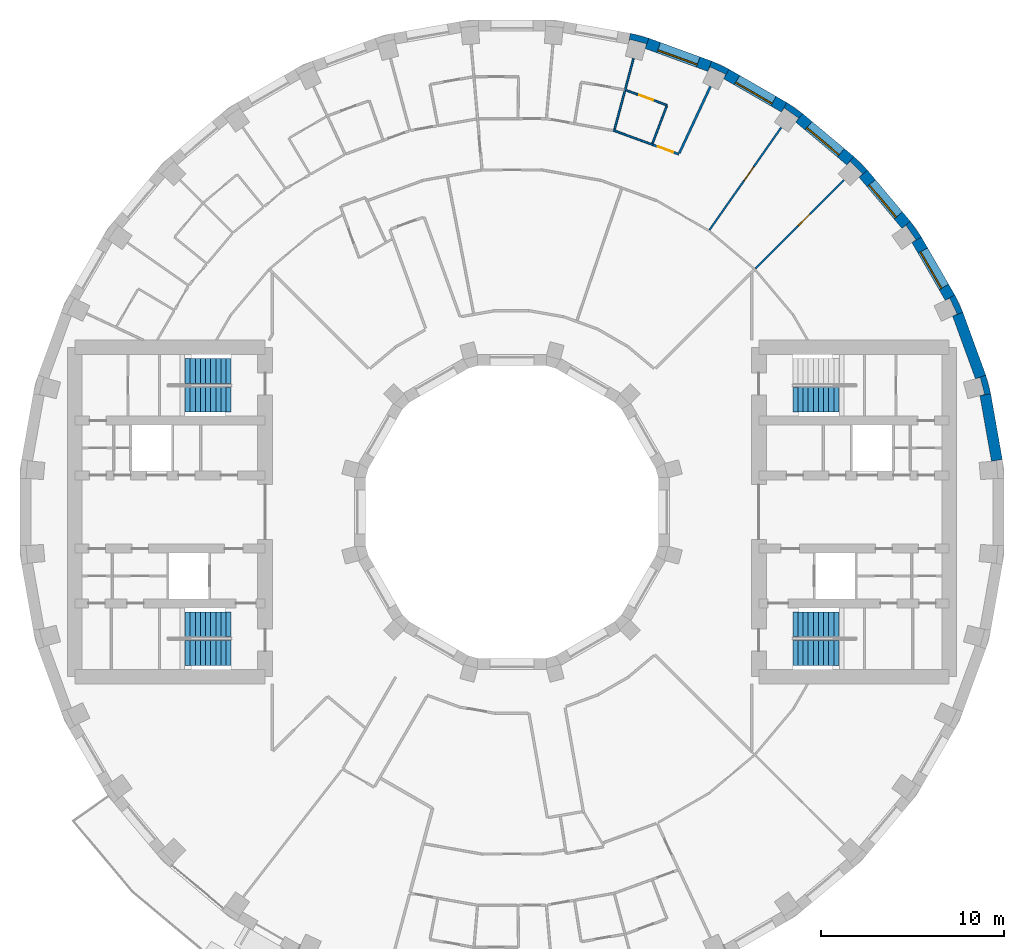
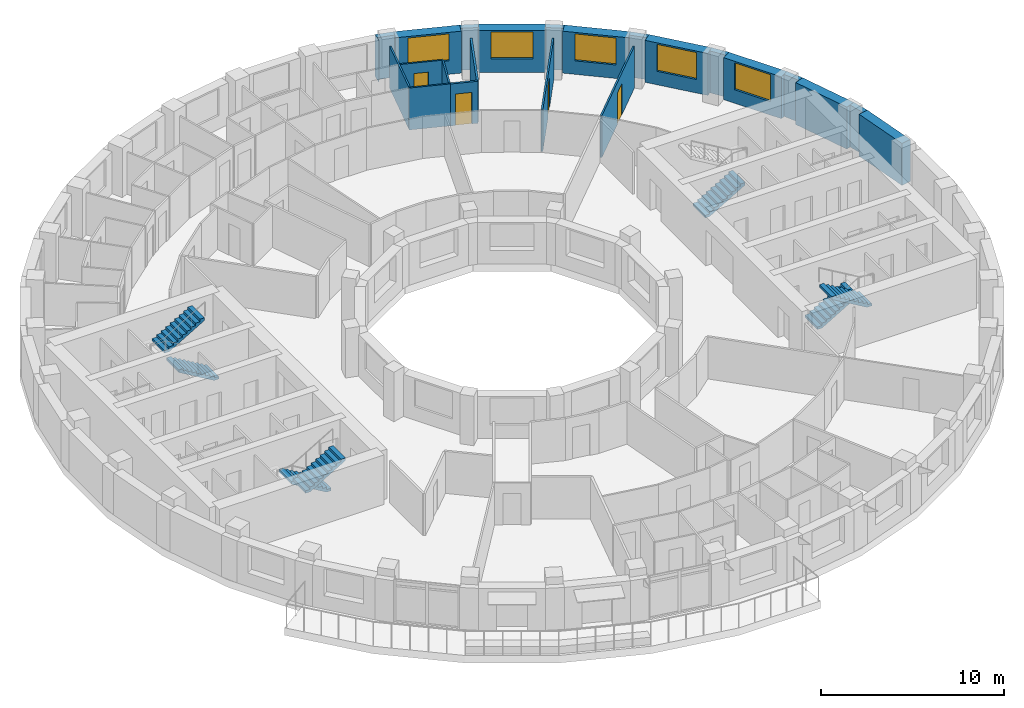
# One storey, part 12 of 14: 22 walls, 7 stair flights, 5 windows, 4 doors, 9 openings, 4 elements without a shape of their own.
"""IFC4 building model written with IfcOpenShell, lengths in metres."""

from ifc_helpers import new_model, si_unit, direction, frame, frame_2d, origin, place, context, subcontext, project, spatial, polyline, rectangle, outline, extrude, material, layer, layer_set, type_object, element, fill, aggregate, save


model = new_model("IFC4")

# Units and contexts
model_context = context("Model", 3, precision=1e-05, world=origin(), true_north=direction((0.0, 1.0)))
body_context = subcontext(model_context, "Body", "Model", "MODEL_VIEW")
ifc_project = project(units=[si_unit("LENGTHUNIT", "METRE"), si_unit("AREAUNIT", "SQUARE_METRE"), si_unit("VOLUMEUNIT", "CUBIC_METRE"), si_unit("PLANEANGLEUNIT", "RADIAN"), si_unit("MASSUNIT", "GRAM", prefix="KILO")], contexts=[model_context])

# Site, building, storey
site_placement = place(None, origin())
site = spatial("IfcSite", under=ifc_project, at=site_placement, CompositionType="ELEMENT")
building_placement = place(site_placement, origin())
building = spatial("IfcBuilding", under=site, at=building_placement, Name="Saqina Gate Tower", CompositionType="ELEMENT")
storey_placement = place(building_placement, frame((0.0, 0.0, 138.10009765625)))
storey = spatial("IfcBuildingStorey", under=building, at=storey_placement, Name="L39", CompositionType="ELEMENT", Elevation=138.10009765625)

# Walls
ifc_material_1 = material(Name="Brick masonry (buff)", Category="masonry")
wall_type_1 = type_object("IfcWallType", Name="BRICK PIER COPING BUFF", PredefinedType="SOLIDWALL", material=ifc_material_1)
wall_1_placement = place(storey_placement, origin())
element("IfcWall", 1, at=wall_1_placement, inside=storey, type_object=wall_type_1, Name="Pier cap L39 column 2", PredefinedType="SOLIDWALL", context=body_context, shape_type="SweptSolid", body=[
    extrude(outline(polyline([(26.171875, 6.466796875), (25.89892578125, 7.485595703125), (25.335205078125, 7.2802734375), (25.5947265625, 7.349853515625), (25.8408203125, 6.43212890625), (25.5810546875, 6.36279296875), (26.171875, 6.466796875)])), origin(), (0.0, 0.0, 1.0), 2.7998046875),
])
wall_2_placement = place(storey_placement, origin())
element("IfcWall", 2, at=wall_2_placement, inside=storey, type_object=wall_type_1, Name="Pier cap L39 column 3", PredefinedType="SOLIDWALL", context=body_context, shape_type="SweptSolid", body=[
    extrude(outline(polyline([(24.6513671875, 10.913330078125), (24.205810546875, 11.869140625), (23.68603515625, 11.569091796875), (23.9296875, 11.6826171875), (24.331298828125, 10.82177734375), (24.08740234375, 10.7080078125), (24.6513671875, 10.913330078125)])), origin(), (0.0, 0.0, 1.0), 2.7998046875),
])
wall_3_placement = place(storey_placement, origin())
element("IfcWall", 3, at=wall_3_placement, inside=storey, type_object=wall_type_1, Name="Pier cap L39 column 4", PredefinedType="SOLIDWALL", context=body_context, shape_type="SweptSolid", body=[
    extrude(outline(polyline([(21.77685546875, 15.89208984375), (21.317138671875, 15.50634765625), (21.53759765625, 15.66064453125), (22.08251953125, 14.88232421875), (21.862060546875, 14.728271484375), (22.3818359375, 15.0283203125), (21.77685546875, 15.89208984375)])), origin(), (0.0, 0.0, 1.0), 2.7998046875),
])
wall_4_placement = place(storey_placement, origin())
element("IfcWall", 4, at=wall_4_placement, inside=storey, type_object=wall_type_1, Name="Pier cap L39 column 5", PredefinedType="SOLIDWALL", context=body_context, shape_type="SweptSolid", body=[
    extrude(outline(polyline([(19.43212890625, 18.686279296875), (18.686279296875, 19.43212890625), (18.30078125, 18.972412109375), (18.49072265625, 19.16259765625), (19.16259765625, 18.49072265625), (18.972412109375, 18.30078125), (19.43212890625, 18.686279296875)])), origin(), (0.0, 0.0, 1.0), 2.7998046875),
])
wall_5_placement = place(storey_placement, origin())
element("IfcWall", 5, at=wall_5_placement, inside=storey, type_object=wall_type_1, Name="Pier cap L39 column 6", PredefinedType="SOLIDWALL", context=body_context, shape_type="SweptSolid", body=[
    extrude(outline(polyline([(15.0283203125, 22.3818359375), (14.728271484375, 21.862060546875), (14.88232421875, 22.08251953125), (15.66064453125, 21.53759765625), (15.50634765625, 21.317138671875), (15.89208984375, 21.77685546875), (15.0283203125, 22.3818359375)])), origin(), (0.0, 0.0, 1.0), 2.7998046875),
])
wall_6_placement = place(storey_placement, origin())
element("IfcWall", 6, at=wall_6_placement, inside=storey, type_object=wall_type_1, Name="Pier cap L39 column 7", PredefinedType="SOLIDWALL", context=body_context, shape_type="SweptSolid", body=[
    extrude(outline(polyline([(10.913330078125, 24.6513671875), (10.7080078125, 24.08740234375), (10.82177734375, 24.331298828125), (11.6826171875, 23.9296875), (11.569091796875, 23.68603515625), (11.869140625, 24.205810546875), (10.913330078125, 24.6513671875)])), origin(), (0.0, 0.0, 1.0), 2.7998046875),
])
wall_7_placement = place(storey_placement, origin())
element("IfcWall", 7, at=wall_7_placement, inside=storey, type_object=wall_type_1, Name="Pier cap L39 column 8", PredefinedType="SOLIDWALL", context=body_context, shape_type="SweptSolid", body=[
    extrude(outline(polyline([(7.485595703125, 25.89892578125), (6.466796875, 26.171875), (6.36279296875, 25.5810546875), (6.43212890625, 25.8408203125), (7.349853515625, 25.5947265625), (7.2802734375, 25.335205078125), (7.485595703125, 25.89892578125)])), origin(), (0.0, 0.0, 1.0), 2.7998046875),
])

# Wall, opening, window
ifc_material_2 = material(Name="Brick masonry (buff)", Category="masonry")
ifc_layer_1 = layer(ifc_material_2, 0.60009765625)
ifc_layer_set_1 = layer_set([ifc_layer_1], Name="FW-BRICK-BUFF")
wall_type_2 = type_object("IfcWallType", Name="FW-BRICK-BUFF", PredefinedType="SOLIDWALL", material=ifc_layer_set_1)
wall_8_placement = place(storey_placement, frame((23.94580078125, 11.718994140625, 0.0), z_axis=(0.0, 0.0, 1.0), x_axis=(-0.499954196102, 0.866051847062, 0.0)))
wall_8 = element("IfcWall", 8, at=wall_8_placement, inside=storey, type_object=wall_type_2, Name="Facade wall L39 facet 3", PredefinedType="SOLIDWALL", context=body_context, shape_type="SweptSolid", body=[
    extrude(rectangle(XDim=3.647705078125, YDim=0.60009765625, at=frame_2d((1.82373046875, 0.0))), origin(), (0.0, 0.0, 1.0), 2.7998046875),
])
opening_1_placement = place(wall_8_placement, frame((0.673828125, 0.0, 0.89990234375)))
opening_1 = element("IfcOpeningElement", 9, at=opening_1_placement, cuts=wall_8, Name="Opening G11-W01", PredefinedType="OPENING", context=body_context, shape_type="SweptSolid", body=[
    extrude(rectangle(XDim=2.300048828125, YDim=1.800048828125, at=frame_2d((1.14990234375, 0.89990234375))), frame((0.0, 0.31201171875, 0.0), z_axis=(0.0, -1.0, 0.0), x_axis=(1.0, 0.0, 0.0)), (0.0, 0.0, 1.0), 0.6240234375),
])
ifc_material_3 = material(Name="Aluminium glazing", Category="aluminium")
window_type = type_object("IfcWindowType", Name="WN-B", PartitioningType="SINGLE_PANEL", PredefinedType="WINDOW", material=ifc_material_3)
window_1_placement = place(opening_1_placement, origin())
window_1 = element("IfcWindow", 10, at=window_1_placement, inside=storey, type_object=window_type, Name="Window L39 facet 3", OverallHeight=1.800048828125, OverallWidth=2.300048828125, PartitioningType="SINGLE_PANEL", PredefinedType="WINDOW", context=body_context, shape_type="SweptSolid", body=[
    extrude(rectangle(XDim=2.300048828125, YDim=1.800048828125, at=frame_2d((1.14990234375, 0.89990234375))), frame((0.0, 0.179931640625, 0.0), z_axis=(0.0, -1.0, 0.0), x_axis=(1.0, 0.0, 0.0)), (0.0, 0.0, 1.0), 0.06005859375),
])
fill(opening_1, window_1)

wall_9_placement = place(storey_placement, frame((21.547119140625, 15.69921875, 0.0), z_axis=(0.0, 0.0, 1.0), x_axis=(-0.642774476932, 0.766055462616, 0.0)))
wall_9 = element("IfcWall", 11, at=wall_9_placement, inside=storey, type_object=wall_type_2, Name="Facade wall L39 facet 4", PredefinedType="SOLIDWALL", context=body_context, shape_type="SweptSolid", body=[
    extrude(rectangle(XDim=3.647705078125, YDim=0.60009765625, at=frame_2d((1.82373046875, 0.0))), origin(), (0.0, 0.0, 1.0), 2.7998046875),
])
opening_2_placement = place(wall_9_placement, frame((0.673828125, 0.0, 0.89990234375)))
opening_2 = element("IfcOpeningElement", 12, at=opening_2_placement, cuts=wall_9, Name="Opening G11-W02", PredefinedType="OPENING", context=body_context, shape_type="SweptSolid", body=[
    extrude(rectangle(XDim=2.300048828125, YDim=1.800048828125, at=frame_2d((1.14990234375, 0.89990234375))), frame((0.0, 0.31201171875, 0.0), z_axis=(0.0, -1.0, 0.0), x_axis=(1.0, 0.0, 0.0)), (0.0, 0.0, 1.0), 0.6240234375),
])
window_2_placement = place(opening_2_placement, origin())
window_2 = element("IfcWindow", 13, at=window_2_placement, inside=storey, type_object=window_type, Name="Window L39 facet 4", OverallHeight=1.800048828125, OverallWidth=2.300048828125, PartitioningType="SINGLE_PANEL", PredefinedType="WINDOW", context=body_context, shape_type="SweptSolid", body=[
    extrude(rectangle(XDim=2.300048828125, YDim=1.800048828125, at=frame_2d((1.14990234375, 0.89990234375))), frame((0.0, 0.179931640625, 0.0), z_axis=(0.0, -1.0, 0.0), x_axis=(1.0, 0.0, 0.0)), (0.0, 0.0, 1.0), 0.06005859375),
])
fill(opening_2, window_2)

wall_10_placement = place(storey_placement, frame((18.49365234375, 19.202392578125, 0.0), z_axis=(0.0, 0.0, 1.0), x_axis=(-0.766055462616, 0.642774476932, 0.0)))
wall_10 = element("IfcWall", 14, at=wall_10_placement, inside=storey, type_object=wall_type_2, Name="Facade wall L39 facet 5", PredefinedType="SOLIDWALL", context=body_context, shape_type="SweptSolid", body=[
    extrude(rectangle(XDim=3.647705078125, YDim=0.60009765625, at=frame_2d((1.82373046875, 0.0))), origin(), (0.0, 0.0, 1.0), 2.7998046875),
])
opening_3_placement = place(wall_10_placement, frame((0.673828125, 0.0, 0.89990234375)))
opening_3 = element("IfcOpeningElement", 15, at=opening_3_placement, cuts=wall_10, Name="Opening G11-W03", PredefinedType="OPENING", context=body_context, shape_type="SweptSolid", body=[
    extrude(rectangle(XDim=2.300048828125, YDim=1.800048828125, at=frame_2d((1.14990234375, 0.89990234375))), frame((0.0, 0.31201171875, 0.0), z_axis=(0.0, -1.0, 0.0), x_axis=(1.0, 0.0, 0.0)), (0.0, 0.0, 1.0), 0.6240234375),
])
window_3_placement = place(opening_3_placement, origin())
window_3 = element("IfcWindow", 16, at=window_3_placement, inside=storey, type_object=window_type, Name="Window L39 facet 5", OverallHeight=1.800048828125, OverallWidth=2.300048828125, PartitioningType="SINGLE_PANEL", PredefinedType="WINDOW", context=body_context, shape_type="SweptSolid", body=[
    extrude(rectangle(XDim=2.300048828125, YDim=1.800048828125, at=frame_2d((1.14990234375, 0.89990234375))), frame((0.0, 0.179931640625, 0.0), z_axis=(0.0, -1.0, 0.0), x_axis=(1.0, 0.0, 0.0)), (0.0, 0.0, 1.0), 0.06005859375),
])
fill(opening_3, window_3)

wall_11_placement = place(storey_placement, frame((14.878173828125, 22.1220703125, 0.0), z_axis=(0.0, 0.0, 1.0), x_axis=(-0.866051847062, 0.499954196102, 0.0)))
wall_11 = element("IfcWall", 17, at=wall_11_placement, inside=storey, type_object=wall_type_2, Name="Facade wall L39 facet 6", PredefinedType="SOLIDWALL", context=body_context, shape_type="SweptSolid", body=[
    extrude(rectangle(XDim=3.647705078125, YDim=0.60009765625, at=frame_2d((1.82373046875, 0.0))), origin(), (0.0, 0.0, 1.0), 2.7998046875),
])
opening_4_placement = place(wall_11_placement, frame((0.673828125, 0.0, 0.89990234375)))
opening_4 = element("IfcOpeningElement", 18, at=opening_4_placement, cuts=wall_11, Name="Opening G11-W04", PredefinedType="OPENING", context=body_context, shape_type="SweptSolid", body=[
    extrude(rectangle(XDim=2.300048828125, YDim=1.800048828125, at=frame_2d((1.14990234375, 0.89990234375))), frame((0.0, 0.31201171875, 0.0), z_axis=(0.0, -1.0, 0.0), x_axis=(1.0, 0.0, 0.0)), (0.0, 0.0, 1.0), 0.6240234375),
])
window_4_placement = place(opening_4_placement, origin())
window_4 = element("IfcWindow", 19, at=window_4_placement, inside=storey, type_object=window_type, Name="Window L39 facet 6", OverallHeight=1.800048828125, OverallWidth=2.300048828125, PartitioningType="SINGLE_PANEL", PredefinedType="WINDOW", context=body_context, shape_type="SweptSolid", body=[
    extrude(rectangle(XDim=2.300048828125, YDim=1.800048828125, at=frame_2d((1.14990234375, 0.89990234375))), frame((0.0, 0.179931640625, 0.0), z_axis=(0.0, -1.0, 0.0), x_axis=(1.0, 0.0, 0.0)), (0.0, 0.0, 1.0), 0.06005859375),
])
fill(opening_4, window_4)

wall_12_placement = place(storey_placement, frame((10.810791015625, 24.369384765625, 0.0), z_axis=(0.0, 0.0, 1.0), x_axis=(-0.939703505393, 0.341990236633, 0.0)))
wall_12 = element("IfcWall", 20, at=wall_12_placement, inside=storey, type_object=wall_type_2, Name="Facade wall L39 facet 7", PredefinedType="SOLIDWALL", context=body_context, shape_type="SweptSolid", body=[
    extrude(rectangle(XDim=3.64794921875, YDim=0.60009765625, at=frame_2d((1.823974609375, 0.0))), origin(), (0.0, 0.0, 1.0), 2.7998046875),
])
opening_5_placement = place(wall_12_placement, frame((0.673828125, 0.0, 0.89990234375)))
opening_5 = element("IfcOpeningElement", 21, at=opening_5_placement, cuts=wall_12, Name="Opening G11-W05", PredefinedType="OPENING", context=body_context, shape_type="SweptSolid", body=[
    extrude(rectangle(XDim=2.300048828125, YDim=1.800048828125, at=frame_2d((1.14990234375, 0.89990234375))), frame((0.0, 0.31201171875, 0.0), z_axis=(0.0, -1.0, 0.0), x_axis=(1.0, 0.0, 0.0)), (0.0, 0.0, 1.0), 0.6240234375),
])
window_5_placement = place(opening_5_placement, origin())
window_5 = element("IfcWindow", 22, at=window_5_placement, inside=storey, type_object=window_type, Name="Window L39 facet 7", OverallHeight=1.800048828125, OverallWidth=2.300048828125, PartitioningType="SINGLE_PANEL", PredefinedType="WINDOW", context=body_context, shape_type="SweptSolid", body=[
    extrude(rectangle(XDim=2.300048828125, YDim=1.800048828125, at=frame_2d((1.14990234375, 0.89990234375))), frame((0.0, 0.179931640625, 0.0), z_axis=(0.0, -1.0, 0.0), x_axis=(1.0, 0.0, 0.0)), (0.0, 0.0, 1.0), 0.06005859375),
])
fill(opening_5, window_5)

# Walls
ifc_material_4 = material(Name="Glazed ceramic tile", Category="ceramic")
ifc_layer_2 = layer(ifc_material_4, 0.60009765625)
ifc_layer_set_2 = layer_set([ifc_layer_2], Name="FW-TILE")
wall_type_3 = type_object("IfcWallType", Name="FW-TILE", PredefinedType="SOLIDWALL", material=ifc_layer_set_2)
wall_13_placement = place(storey_placement, frame((25.616943359375, 7.3828125, 0.0), z_axis=(0.0, 0.0, 1.0), x_axis=(-0.341990236633, 0.939703505393, 0.0)))
element("IfcWall", 23, at=wall_13_placement, inside=storey, type_object=wall_type_3, Name="Facade wall L39 facet 2", PredefinedType="SOLIDWALL", context=body_context, shape_type="SweptSolid", body=[
    extrude(rectangle(XDim=3.64794921875, YDim=0.60009765625, at=frame_2d((1.823974609375, 0.0))), origin(), (0.0, 0.0, 1.0), 2.7998046875),
])
ifc_material_5 = material(Name="Glazed ceramic tile (white)", Category="ceramic")
ifc_layer_3 = layer(ifc_material_5, 0.60009765625)
ifc_layer_set_3 = layer_set([ifc_layer_3], Name="FW-TILE-WH")
wall_type_4 = type_object("IfcWallType", Name="FW-TILE-WH", PredefinedType="SOLIDWALL", material=ifc_layer_set_3)
wall_14_placement = place(storey_placement, frame((26.510009765625, 2.822265625, 0.0), z_axis=(0.0, 0.0, 1.0), x_axis=(-0.173670796382, 0.984803764455, 0.0)))
element("IfcWall", 24, at=wall_14_placement, inside=storey, type_object=wall_type_4, Name="Facade wall L39 facet 1", PredefinedType="SOLIDWALL", context=body_context, shape_type="SweptSolid", body=[
    extrude(rectangle(XDim=3.64794921875, YDim=0.60009765625, at=frame_2d((1.823974609375, 0.0))), origin(), (0.0, 0.0, 1.0), 2.7998046875),
])
ifc_material_6 = material(Name="Gypsum board on steel studs, 100 mm", Category="steel")
ifc_layer_4 = layer(ifc_material_6, 0.10009765625)
ifc_layer_set_4 = layer_set([ifc_layer_4], Name="PARTITION 100")
wall_type_5 = type_object("IfcWallType", Name="PARTITION 100", PredefinedType="PARTITIONING", material=ifc_layer_set_4)
wall_15_placement = place(storey_placement, frame((5.5380859375, 20.865966796875, 0.0), z_axis=(0.0, 0.0, 1.0), x_axis=(0.939002837997, -0.343909392476, 0.0)))
element("IfcWall", 25, at=wall_15_placement, inside=storey, type_object=wall_type_5, Name="PARTITION PW3-29", PredefinedType="PARTITIONING", context=body_context, shape_type="SweptSolid", body=[
    extrude(rectangle(XDim=2.306396484375, YDim=0.10009765625, at=frame_2d((1.1533203125, 0.0))), origin(), (0.0, 0.0, 1.0), 2.7998046875),
])

# Wall, opening, door
wall_16_placement = place(storey_placement, frame((6.22998046875, 23.056884765625, 0.0), z_axis=(0.0, 0.0, 1.0), x_axis=(0.939644231496, -0.342153062556, 0.0)))
wall_16 = element("IfcWall", 26, at=wall_16_placement, inside=storey, type_object=wall_type_5, Name="PARTITION PW3-31", PredefinedType="PARTITIONING", context=body_context, shape_type="SweptSolid", body=[
    extrude(rectangle(XDim=2.390380859375, YDim=0.10009765625, at=frame_2d((1.1953125, 0.0))), origin(), (0.0, 0.0, 1.0), 2.7998046875),
])
opening_6_placement = place(wall_16_placement, frame((0.770263671875, 0.0, 0.0)))
opening_6 = element("IfcOpeningElement", 27, at=opening_6_placement, cuts=wall_16, Name="Opening G11-D05", PredefinedType="OPENING", context=body_context, shape_type="SweptSolid", body=[
    extrude(rectangle(XDim=0.800048828125, YDim=2.10009765625, at=frame_2d((0.39990234375, 1.050048828125))), frame((0.0, 0.06201171875, 0.0), z_axis=(0.0, -1.0, 0.0), x_axis=(1.0, 0.0, 0.0)), (0.0, 0.0, 1.0), 0.1240234375),
])
ifc_material_7 = material(Name="Timber door leaf, 800 mm", Category="wood")
door_type_1 = type_object("IfcDoorType", Name="DOOR 800 TIMBER", OperationType="SINGLE_SWING_LEFT", PredefinedType="DOOR", material=ifc_material_7)
door_1_placement = place(opening_6_placement, origin())
door_1 = element("IfcDoor", 28, at=door_1_placement, inside=storey, type_object=door_type_1, Name="DOOR G11-D05", OperationType="SINGLE_SWING_LEFT", OverallHeight=2.10009765625, OverallWidth=0.800048828125, PredefinedType="DOOR", context=body_context, shape_type="SweptSolid", body=[
    extrude(rectangle(XDim=0.800048828125, YDim=2.10009765625, at=frame_2d((0.39990234375, 1.050048828125))), frame((0.0, 0.02490234375, 0.0), z_axis=(0.0, -1.0, 0.0), x_axis=(1.0, 0.0, 0.0)), (0.0, 0.0, 1.0), 0.050048828125),
])
fill(opening_6, door_1)

wall_17_placement = place(storey_placement, frame((13.307373046875, 13.307373046875, 0.0), z_axis=(0.0, 0.0, 1.0), x_axis=(0.707106781187, 0.707106781187, 0.0)))
wall_17 = element("IfcWall", 29, at=wall_17_placement, inside=storey, type_object=wall_type_5, Name="PARTITION PW3-67", PredefinedType="PARTITIONING", context=body_context, shape_type="SweptSolid", body=[
    extrude(rectangle(XDim=6.845703125, YDim=0.10009765625, at=frame_2d((3.4228515625, 0.0))), origin(), (0.0, 0.0, 1.0), 2.7998046875),
])
opening_7_placement = place(wall_17_placement, frame((3.314697265625, 0.0, 0.0)))
opening_7 = element("IfcOpeningElement", 30, at=opening_7_placement, cuts=wall_17, Name="Opening G11-D01", PredefinedType="OPENING", context=body_context, shape_type="SweptSolid", body=[
    extrude(rectangle(XDim=0.89990234375, YDim=2.10009765625, at=frame_2d((0.449951171875, 1.050048828125))), frame((0.0, 0.06201171875, 0.0), z_axis=(0.0, -1.0, 0.0), x_axis=(1.0, 0.0, 0.0)), (0.0, 0.0, 1.0), 0.1240234375),
])
ifc_material_8 = material(Name="Timber door leaf, 900 mm", Category="wood")
door_type_2 = type_object("IfcDoorType", Name="DOOR 900 TIMBER", OperationType="SINGLE_SWING_LEFT", PredefinedType="DOOR", material=ifc_material_8)
door_2_placement = place(opening_7_placement, frame((0.89990234375, 0.0, 0.0), z_axis=(0.0, 0.0, 1.0), x_axis=(-1.0, 0.0, 0.0)))
door_2 = element("IfcDoor", 31, at=door_2_placement, inside=storey, type_object=door_type_2, Name="DOOR G11-D01", OperationType="SINGLE_SWING_LEFT", OverallHeight=2.10009765625, OverallWidth=0.89990234375, PredefinedType="DOOR", context=body_context, shape_type="SweptSolid", body=[
    extrude(rectangle(XDim=0.89990234375, YDim=2.10009765625, at=frame_2d((0.449951171875, 1.050048828125))), frame((0.0, 0.02490234375, 0.0), z_axis=(0.0, -1.0, 0.0), x_axis=(1.0, 0.0, 0.0)), (0.0, 0.0, 1.0), 0.050048828125),
])
fill(opening_7, door_2)

wall_18_placement = place(storey_placement, frame((10.794677734375, 15.4169921875, 0.0), z_axis=(0.0, 0.0, 1.0), x_axis=(0.573553308079, 0.819168238393, 0.0)))
wall_18 = element("IfcWall", 32, at=wall_18_placement, inside=storey, type_object=wall_type_5, Name="PARTITION PW3-73", PredefinedType="PARTITIONING", context=body_context, shape_type="SweptSolid", body=[
    extrude(rectangle(XDim=6.8447265625, YDim=0.10009765625, at=frame_2d((3.42236328125, 0.0))), origin(), (0.0, 0.0, 1.0), 2.7998046875),
])
opening_8_placement = place(wall_18_placement, frame((3.314697265625, 0.0, 0.0)))
opening_8 = element("IfcOpeningElement", 33, at=opening_8_placement, cuts=wall_18, Name="Opening G11-D02", PredefinedType="OPENING", context=body_context, shape_type="SweptSolid", body=[
    extrude(rectangle(XDim=0.89990234375, YDim=2.10009765625, at=frame_2d((0.449951171875, 1.050048828125))), frame((0.0, 0.06201171875, 0.0), z_axis=(0.0, -1.0, 0.0), x_axis=(1.0, 0.0, 0.0)), (0.0, 0.0, 1.0), 0.1240234375),
])
door_3_placement = place(opening_8_placement, origin())
door_3 = element("IfcDoor", 34, at=door_3_placement, inside=storey, type_object=door_type_2, Name="DOOR G11-D02", OperationType="SINGLE_SWING_RIGHT", OverallHeight=2.10009765625, OverallWidth=0.89990234375, PredefinedType="DOOR", context=body_context, shape_type="SweptSolid", body=[
    extrude(rectangle(XDim=0.89990234375, YDim=2.10009765625, at=frame_2d((0.449951171875, 1.050048828125))), frame((0.0, 0.02490234375, 0.0), z_axis=(0.0, -1.0, 0.0), x_axis=(1.0, 0.0, 0.0)), (0.0, 0.0, 1.0), 0.050048828125),
])
fill(opening_8, door_3)

# Walls
wall_19_placement = place(storey_placement, frame((7.67919921875, 20.1484375, 0.0), z_axis=(0.0, 0.0, 1.0), x_axis=(0.35615776917, 0.934425836255, 0.0)))
element("IfcWall", 35, at=wall_19_placement, inside=storey, type_object=wall_type_5, Name="PARTITION PW3-79", PredefinedType="PARTITIONING", context=body_context, shape_type="SweptSolid", body=[
    extrude(rectangle(XDim=2.1875, YDim=0.10009765625, at=frame_2d((1.09375, 0.0))), origin(), (0.0, 0.0, 1.0), 2.7998046875),
])
wall_20_placement = place(storey_placement, frame((5.598876953125, 20.89208984375, 0.0), z_axis=(0.0, 0.0, 1.0), x_axis=(0.258615129659, 0.965980442199, 0.0)))
element("IfcWall", 36, at=wall_20_placement, inside=storey, type_object=wall_type_5, Name="PARTITION PW3-81", PredefinedType="PARTITIONING", context=body_context, shape_type="SweptSolid", body=[
    extrude(rectangle(XDim=4.03564453125, YDim=0.10009765625, at=frame_2d((2.017822265625, 0.0))), origin(), (0.0, 0.0, 1.0), 2.7998046875),
])

# Wall, opening, door
ifc_material_9 = material(Name="Gypsum board on steel studs, 125 mm, fire rated", Category="steel")
ifc_layer_5 = layer(ifc_material_9, 0.125)
ifc_layer_set_5 = layer_set([ifc_layer_5], Name="PARTITION EI 30 125")
wall_type_6 = type_object("IfcWallType", Name="PARTITION EI 30 125", PredefinedType="PARTITIONING", material=ifc_layer_set_5)
wall_21_placement = place(storey_placement, frame((7.7041015625, 20.072998046875, 0.0), z_axis=(0.0, 0.0, 1.0), x_axis=(0.939798154323, -0.341730053012, 0.0)))
wall_21 = element("IfcWall", 37, at=wall_21_placement, inside=storey, type_object=wall_type_6, Name="PARTITION PW1-14", PredefinedType="PARTITIONING", context=body_context, shape_type="SweptSolid", body=[
    extrude(rectangle(XDim=1.5068359375, YDim=0.125, at=frame_2d((0.75341796875, 0.0))), origin(), (0.0, 0.0, 1.0), 2.7998046875),
])
opening_9_placement = place(wall_21_placement, frame((0.276123046875, 0.0, 0.0)))
opening_9 = element("IfcOpeningElement", 38, at=opening_9_placement, cuts=wall_21, Name="Opening G11-D04", PredefinedType="OPENING", context=body_context, shape_type="SweptSolid", body=[
    extrude(rectangle(XDim=0.89990234375, YDim=2.10009765625, at=frame_2d((0.449951171875, 1.050048828125))), frame((0.0, 0.074462890625, 0.0), z_axis=(0.0, -1.0, 0.0), x_axis=(1.0, 0.0, 0.0)), (0.0, 0.0, 1.0), 0.14892578125),
])
ifc_material_10 = material(Name="Fire door leaf EI 30, 900 mm")
door_type_3 = type_object("IfcDoorType", Name="DOOR 900 EI 30", OperationType="SINGLE_SWING_LEFT", PredefinedType="DOOR", material=ifc_material_10)
door_4_placement = place(opening_9_placement, frame((0.89990234375, 0.0, 0.0), z_axis=(0.0, 0.0, 1.0), x_axis=(-1.0, 0.0, 0.0)))
door_4 = element("IfcDoor", 39, at=door_4_placement, inside=storey, type_object=door_type_3, Name="DOOR G11-D04", OperationType="SINGLE_SWING_RIGHT", OverallHeight=2.10009765625, OverallWidth=0.89990234375, PredefinedType="DOOR", context=body_context, shape_type="SweptSolid", body=[
    extrude(rectangle(XDim=0.89990234375, YDim=2.10009765625, at=frame_2d((0.449951171875, 1.050048828125))), frame((0.0, 0.02490234375, 0.0), z_axis=(0.0, -1.0, 0.0), x_axis=(1.0, 0.0, 0.0)), (0.0, 0.0, 1.0), 0.050048828125),
])
fill(opening_9, door_4)

# Wall
wall_22_placement = place(storey_placement, frame((9.146484375, 19.61474609375, 0.0), z_axis=(0.0, 0.0, 1.0), x_axis=(0.422622950513, 0.906305600612, 0.0)))
element("IfcWall", 40, at=wall_22_placement, inside=storey, type_object=wall_type_6, Name="PARTITION PW1-43", PredefinedType="PARTITIONING", context=body_context, shape_type="SweptSolid", body=[
    extrude(rectangle(XDim=4.0224609375, YDim=0.125, at=frame_2d((2.01123046875, 0.0))), origin(), (0.0, 0.0, 1.0), 2.7998046875),
])

# Stair, stair flight
ifc_material_11 = material(Name="Concrete C40/50", Category="concrete")
stair_type = type_object("IfcStairType", Name="EXIT STAIR", PredefinedType="HALF_TURN_STAIR", material=ifc_material_11)
stair_1_placement = place(storey_placement, origin())
stair_1 = element("IfcStair", 41, at=stair_1_placement, inside=storey, type_object=stair_type, Name="EXIT STAIR 1", PredefinedType="HALF_TURN_STAIR")
ifc_material_12 = material(Name="Concrete C40/50", Category="concrete")
stair_flight_type = type_object("IfcStairFlightType", Name="EXIT STAIR FLIGHT", PredefinedType="STRAIGHT", material=ifc_material_12)
stair_flight_1_placement = place(storey_placement, frame((15.35009765625, 6.1416015625, 0.0), z_axis=(0.0, 0.0, 1.0), x_axis=(1.0, 0.0, 0.0)))
stair_flight_1 = element("IfcStairFlight", 42, at=stair_flight_1_placement, type_object=stair_flight_type, Name="EXIT STAIR 1 FLIGHT 1", NumberOfRisers=10, NumberOfTreads=9, PredefinedType="STRAIGHT", RiserHeight=0.165, TreadLength=0.28, context=body_context, shape_type="SweptSolid", body=[
    extrude(outline(polyline([(0.0, 0.0), (0.0, 0.1650390625), (0.280029296875, 0.1650390625), (0.280029296875, 0.330078125), (0.56005859375, 0.330078125), (0.56005859375, 0.4951171875), (0.840087890625, 0.4951171875), (0.840087890625, 0.659912109375), (1.1201171875, 0.659912109375), (1.1201171875, 0.824951171875), (1.39990234375, 0.824951171875), (1.39990234375, 0.989990234375), (1.679931640625, 0.989990234375), (1.679931640625, 1.155029296875), (1.9599609375, 1.155029296875), (1.9599609375, 1.320068359375), (2.239990234375, 1.320068359375), (2.239990234375, 1.485107421875), (2.52001953125, 1.485107421875), (2.52001953125, 1.64990234375), (2.52001953125, 1.31103515625), (0.295166015625, 0.0), (0.0, 0.0)])), frame((0.0, 0.675048828125, 0.0), z_axis=(0.0, -1.0, 0.0), x_axis=(1.0, 0.0, 0.0)), (0.0, 0.0, 1.0), 1.35009765625),
])
aggregate(stair_1, [stair_flight_1])

# Stair, stair flights
stair_2_placement = place(storey_placement, origin())
stair_2 = element("IfcStair", 43, at=stair_2_placement, inside=storey, type_object=stair_type, Name="EXIT STAIR 2", PredefinedType="HALF_TURN_STAIR")
stair_flight_2_placement = place(storey_placement, frame((15.35009765625, -6.1416015625, 0.0), z_axis=(0.0, 0.0, 1.0), x_axis=(1.0, 0.0, 0.0)))
stair_flight_2 = element("IfcStairFlight", 44, at=stair_flight_2_placement, type_object=stair_flight_type, Name="EXIT STAIR 2 FLIGHT 1", NumberOfRisers=10, NumberOfTreads=9, PredefinedType="STRAIGHT", RiserHeight=0.165, TreadLength=0.28, context=body_context, shape_type="SweptSolid", body=[
    extrude(outline(polyline([(0.0, 0.0), (0.0, 0.1650390625), (0.280029296875, 0.1650390625), (0.280029296875, 0.330078125), (0.56005859375, 0.330078125), (0.56005859375, 0.4951171875), (0.840087890625, 0.4951171875), (0.840087890625, 0.659912109375), (1.1201171875, 0.659912109375), (1.1201171875, 0.824951171875), (1.39990234375, 0.824951171875), (1.39990234375, 0.989990234375), (1.679931640625, 0.989990234375), (1.679931640625, 1.155029296875), (1.9599609375, 1.155029296875), (1.9599609375, 1.320068359375), (2.239990234375, 1.320068359375), (2.239990234375, 1.485107421875), (2.52001953125, 1.485107421875), (2.52001953125, 1.64990234375), (2.52001953125, 1.31103515625), (0.295166015625, 0.0), (0.0, 0.0)])), frame((0.0, 0.675048828125, 0.0), z_axis=(0.0, -1.0, 0.0), x_axis=(1.0, 0.0, 0.0)), (0.0, 0.0, 1.0), 1.35009765625),
])
stair_flight_3_placement = place(storey_placement, frame((17.8701171875, -7.708251953125, 1.64990234375), z_axis=(0.0, 0.0, 1.0), x_axis=(-1.0, 0.0, 0.0)))
stair_flight_3 = element("IfcStairFlight", 45, at=stair_flight_3_placement, type_object=stair_flight_type, Name="EXIT STAIR 2 FLIGHT 2", NumberOfRisers=10, NumberOfTreads=9, PredefinedType="STRAIGHT", RiserHeight=0.165, TreadLength=0.28, context=body_context, shape_type="SweptSolid", body=[
    extrude(outline(polyline([(0.0, 0.0), (0.0, 0.1650390625), (0.280029296875, 0.1650390625), (0.280029296875, 0.330078125), (0.56005859375, 0.330078125), (0.56005859375, 0.4951171875), (0.840087890625, 0.4951171875), (0.840087890625, 0.659912109375), (1.1201171875, 0.659912109375), (1.1201171875, 0.824951171875), (1.39990234375, 0.824951171875), (1.39990234375, 0.989990234375), (1.679931640625, 0.989990234375), (1.679931640625, 1.155029296875), (1.9599609375, 1.155029296875), (1.9599609375, 1.320068359375), (2.239990234375, 1.320068359375), (2.239990234375, 1.485107421875), (2.52001953125, 1.485107421875), (2.52001953125, 1.64990234375), (2.52001953125, 1.31103515625), (0.295166015625, 0.0), (0.0, 0.0)])), frame((0.0, 0.675048828125, 0.0), z_axis=(0.0, -1.0, 0.0), x_axis=(1.0, 0.0, 0.0)), (0.0, 0.0, 1.0), 1.35009765625),
])
aggregate(stair_2, [stair_flight_2, stair_flight_3])

stair_3_placement = place(storey_placement, origin())
stair_3 = element("IfcStair", 46, at=stair_3_placement, inside=storey, type_object=stair_type, Name="EXIT STAIR 3", PredefinedType="HALF_TURN_STAIR")
stair_flight_4_placement = place(storey_placement, frame((-15.35009765625, 6.1416015625, 0.0), z_axis=(0.0, 0.0, 1.0), x_axis=(-1.0, 0.0, 0.0)))
stair_flight_4 = element("IfcStairFlight", 47, at=stair_flight_4_placement, type_object=stair_flight_type, Name="EXIT STAIR 3 FLIGHT 1", NumberOfRisers=10, NumberOfTreads=9, PredefinedType="STRAIGHT", RiserHeight=0.165, TreadLength=0.28, context=body_context, shape_type="SweptSolid", body=[
    extrude(outline(polyline([(0.0, 0.0), (0.0, 0.1650390625), (0.280029296875, 0.1650390625), (0.280029296875, 0.330078125), (0.56005859375, 0.330078125), (0.56005859375, 0.4951171875), (0.840087890625, 0.4951171875), (0.840087890625, 0.659912109375), (1.1201171875, 0.659912109375), (1.1201171875, 0.824951171875), (1.39990234375, 0.824951171875), (1.39990234375, 0.989990234375), (1.679931640625, 0.989990234375), (1.679931640625, 1.155029296875), (1.9599609375, 1.155029296875), (1.9599609375, 1.320068359375), (2.239990234375, 1.320068359375), (2.239990234375, 1.485107421875), (2.52001953125, 1.485107421875), (2.52001953125, 1.64990234375), (2.52001953125, 1.31103515625), (0.295166015625, 0.0), (0.0, 0.0)])), frame((0.0, 0.675048828125, 0.0), z_axis=(0.0, -1.0, 0.0), x_axis=(1.0, 0.0, 0.0)), (0.0, 0.0, 1.0), 1.35009765625),
])
stair_flight_5_placement = place(storey_placement, frame((-17.8701171875, 7.708251953125, 1.64990234375), z_axis=(0.0, 0.0, 1.0), x_axis=(1.0, 0.0, 0.0)))
stair_flight_5 = element("IfcStairFlight", 48, at=stair_flight_5_placement, type_object=stair_flight_type, Name="EXIT STAIR 3 FLIGHT 2", NumberOfRisers=10, NumberOfTreads=9, PredefinedType="STRAIGHT", RiserHeight=0.165, TreadLength=0.28, context=body_context, shape_type="SweptSolid", body=[
    extrude(outline(polyline([(0.0, 0.0), (0.0, 0.1650390625), (0.280029296875, 0.1650390625), (0.280029296875, 0.330078125), (0.56005859375, 0.330078125), (0.56005859375, 0.4951171875), (0.840087890625, 0.4951171875), (0.840087890625, 0.659912109375), (1.1201171875, 0.659912109375), (1.1201171875, 0.824951171875), (1.39990234375, 0.824951171875), (1.39990234375, 0.989990234375), (1.679931640625, 0.989990234375), (1.679931640625, 1.155029296875), (1.9599609375, 1.155029296875), (1.9599609375, 1.320068359375), (2.239990234375, 1.320068359375), (2.239990234375, 1.485107421875), (2.52001953125, 1.485107421875), (2.52001953125, 1.64990234375), (2.52001953125, 1.31103515625), (0.295166015625, 0.0), (0.0, 0.0)])), frame((0.0, 0.675048828125, 0.0), z_axis=(0.0, -1.0, 0.0), x_axis=(1.0, 0.0, 0.0)), (0.0, 0.0, 1.0), 1.35009765625),
])
aggregate(stair_3, [stair_flight_4, stair_flight_5])

stair_4_placement = place(storey_placement, origin())
stair_4 = element("IfcStair", 49, at=stair_4_placement, inside=storey, type_object=stair_type, Name="EXIT STAIR 4", PredefinedType="HALF_TURN_STAIR")
stair_flight_6_placement = place(storey_placement, frame((-15.35009765625, -6.1416015625, 0.0), z_axis=(0.0, 0.0, 1.0), x_axis=(-1.0, 0.0, 0.0)))
stair_flight_6 = element("IfcStairFlight", 50, at=stair_flight_6_placement, type_object=stair_flight_type, Name="EXIT STAIR 4 FLIGHT 1", NumberOfRisers=10, NumberOfTreads=9, PredefinedType="STRAIGHT", RiserHeight=0.165, TreadLength=0.28, context=body_context, shape_type="SweptSolid", body=[
    extrude(outline(polyline([(0.0, 0.0), (0.0, 0.1650390625), (0.280029296875, 0.1650390625), (0.280029296875, 0.330078125), (0.56005859375, 0.330078125), (0.56005859375, 0.4951171875), (0.840087890625, 0.4951171875), (0.840087890625, 0.659912109375), (1.1201171875, 0.659912109375), (1.1201171875, 0.824951171875), (1.39990234375, 0.824951171875), (1.39990234375, 0.989990234375), (1.679931640625, 0.989990234375), (1.679931640625, 1.155029296875), (1.9599609375, 1.155029296875), (1.9599609375, 1.320068359375), (2.239990234375, 1.320068359375), (2.239990234375, 1.485107421875), (2.52001953125, 1.485107421875), (2.52001953125, 1.64990234375), (2.52001953125, 1.31103515625), (0.295166015625, 0.0), (0.0, 0.0)])), frame((0.0, 0.675048828125, 0.0), z_axis=(0.0, -1.0, 0.0), x_axis=(1.0, 0.0, 0.0)), (0.0, 0.0, 1.0), 1.35009765625),
])
stair_flight_7_placement = place(storey_placement, frame((-17.8701171875, -7.708251953125, 1.64990234375), z_axis=(0.0, 0.0, 1.0), x_axis=(1.0, 0.0, 0.0)))
stair_flight_7 = element("IfcStairFlight", 51, at=stair_flight_7_placement, type_object=stair_flight_type, Name="EXIT STAIR 4 FLIGHT 2", NumberOfRisers=10, NumberOfTreads=9, PredefinedType="STRAIGHT", RiserHeight=0.165, TreadLength=0.28, context=body_context, shape_type="SweptSolid", body=[
    extrude(outline(polyline([(0.0, 0.0), (0.0, 0.1650390625), (0.280029296875, 0.1650390625), (0.280029296875, 0.330078125), (0.56005859375, 0.330078125), (0.56005859375, 0.4951171875), (0.840087890625, 0.4951171875), (0.840087890625, 0.659912109375), (1.1201171875, 0.659912109375), (1.1201171875, 0.824951171875), (1.39990234375, 0.824951171875), (1.39990234375, 0.989990234375), (1.679931640625, 0.989990234375), (1.679931640625, 1.155029296875), (1.9599609375, 1.155029296875), (1.9599609375, 1.320068359375), (2.239990234375, 1.320068359375), (2.239990234375, 1.485107421875), (2.52001953125, 1.485107421875), (2.52001953125, 1.64990234375), (2.52001953125, 1.31103515625), (0.295166015625, 0.0), (0.0, 0.0)])), frame((0.0, 0.675048828125, 0.0), z_axis=(0.0, -1.0, 0.0), x_axis=(1.0, 0.0, 0.0)), (0.0, 0.0, 1.0), 1.35009765625),
])
aggregate(stair_4, [stair_flight_6, stair_flight_7])

save(model, "model.ifc")
